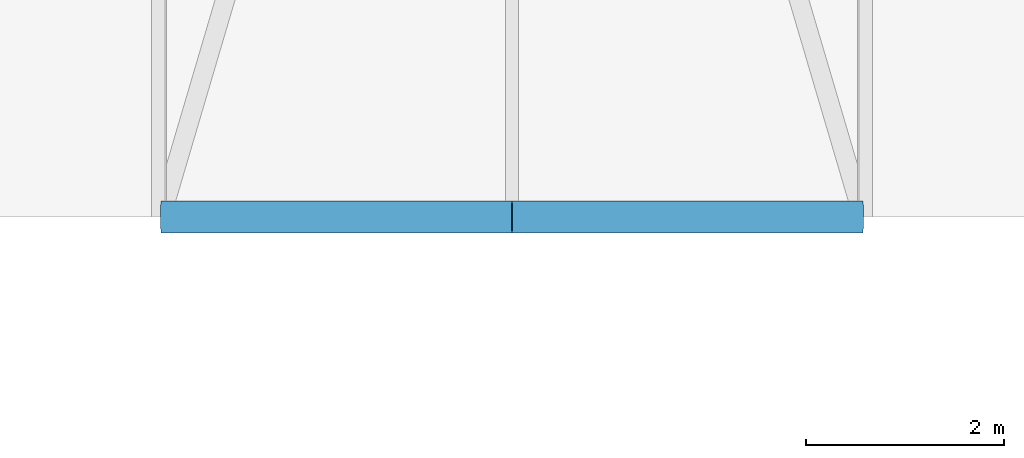
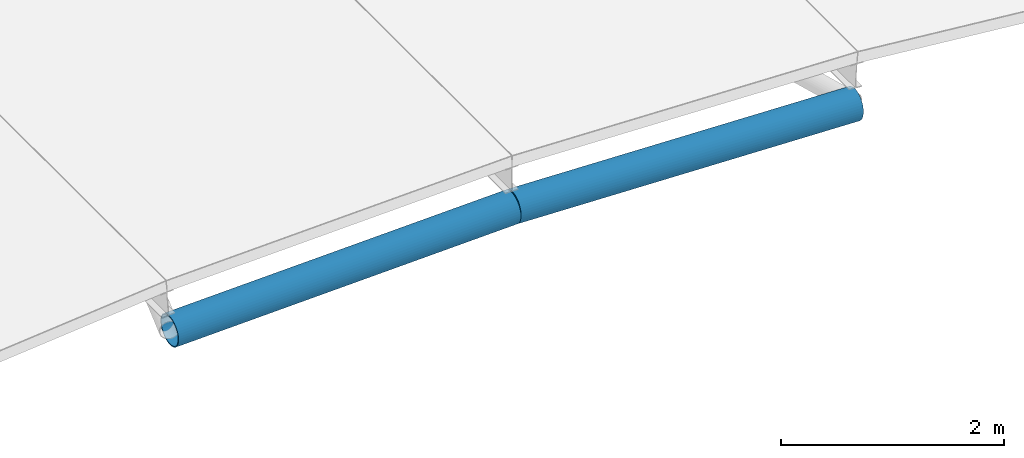
# One storey, part 20 of 91: 2 members.
"""IFC4 building model written with IfcOpenShell, lengths in metres."""

from ifc_helpers import new_model, si_unit, direction, frame, origin, origin_2d, place, context, subcontext, project, spatial, hollow_circle, extrude, material, material_profile, profile_set, type_object, element, save


model = new_model("IFC4")

# Units and contexts
model_context = context("Model", 3, precision=1e-05, world=origin(), true_north=direction((0.0, 1.0)))
body_context = subcontext(model_context, "Body", "Model", "MODEL_VIEW")
ifc_project = project(units=[si_unit("LENGTHUNIT", "METRE"), si_unit("AREAUNIT", "SQUARE_METRE"), si_unit("VOLUMEUNIT", "CUBIC_METRE"), si_unit("PLANEANGLEUNIT", "RADIAN"), si_unit("MASSUNIT", "GRAM", prefix="KILO")], contexts=[model_context])

# Site, building, storey
site_placement = place(None, origin())
site = spatial("IfcSite", under=ifc_project, at=site_placement, CompositionType="ELEMENT")
building_placement = place(site_placement, origin())
building = spatial("IfcBuilding", under=site, at=building_placement, Name="Ravi Spectrum Wholesale Market", CompositionType="ELEMENT")
storey_placement = place(building_placement, frame((0.0, 0.0, 16.199951171875)))
storey = spatial("IfcBuildingStorey", under=building, at=storey_placement, Name="ROOF PLANT LEVEL", CompositionType="ELEMENT", Elevation=16.199951171875)

# Members
ifc_material = material(Name="Steel S355", Category="steel")
ifc_material_profile = material_profile(ifc_material, hollow_circle(Radius=0.161865234375, WallThickness=0.010009765625, at=origin_2d()))
ifc_profile_set = profile_set([ifc_material_profile], Name="Steel S355")
member_type = type_object("IfcMemberType", Name="CHS 323.9x10 chord", PredefinedType="CHORD", material=ifc_profile_set)
for number, where, z_axis, x_axis, name in (
    (1, (170.459228515625, 78.0, -0.11181640625), (0.999501734771, 0.0, 0.031563938118), (0.0, 1.0, 0.0), "H2-MB-L02-007"),
    (2, (174.0, 78.0, 0.0), (0.999501734771, 0.0, -0.031563938118), (0.0, 1.0, 0.0), "H2-MB-L02-008"),
):
    element("IfcMember", number, at=place(storey_placement, frame(where, z_axis=z_axis, x_axis=x_axis)), inside=storey, type_object=member_type, Name=name, PredefinedType="CHORD", context=body_context, shape_type="SweptSolid", body=[
        extrude(hollow_circle(Radius=0.161865234375, WallThickness=0.010009765625, at=origin_2d()), origin(), (0.0, 0.0, 1.0), 3.54248046875),
    ])

save(model, "model.ifc")
